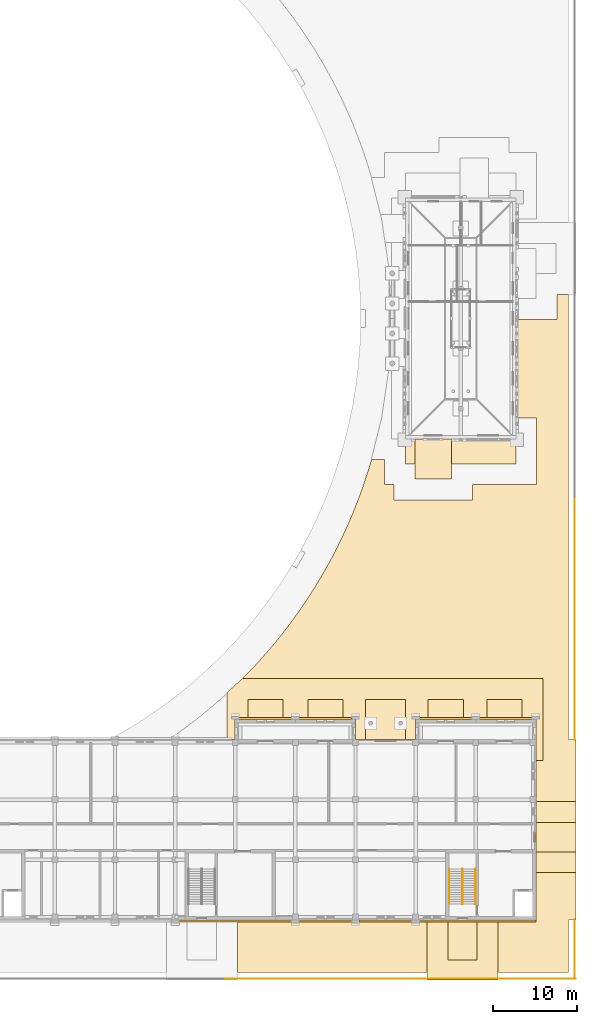
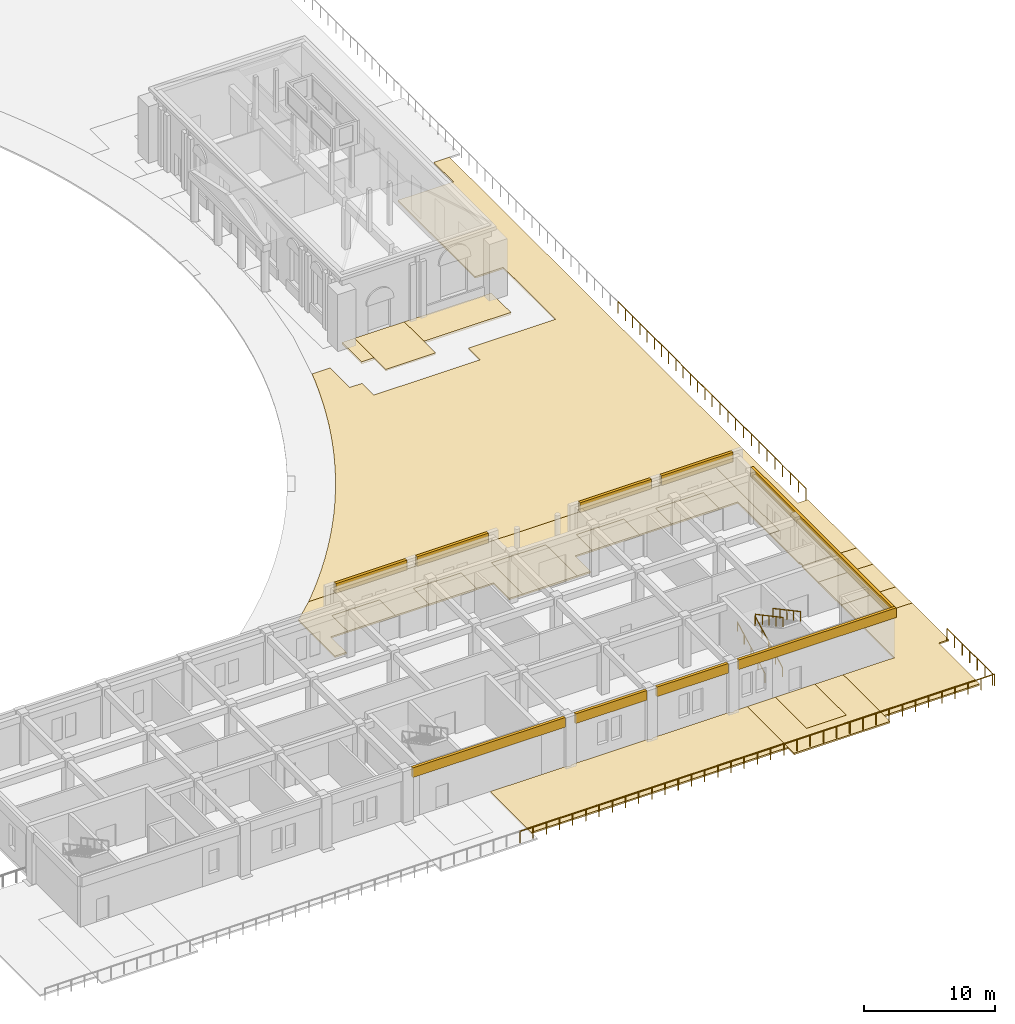
# One storey, part 123 of 131: 25 coverings, 10 railings.
"""IFC4 building model written with IfcOpenShell, lengths in metres."""

import ifcopenshell
import ifcopenshell.guid

model = None  # the IFC model being written
_history = None  # IfcOwnerHistory: only IFC2X3 demands one
_inside = {}  # id of a spatial element -> (the spatial element, [elements in it])
_under = {}  # id of a project, library or spatial element -> (it, [spatial elements below it])
_declared = {}  # id of a project -> (the project, [libraries it declares])
_typed = {}  # id of a type object -> (the type object, [elements of that type])
_made_of = {}  # id of a material, layer set ... -> (it, [elements and type objects made of it])


def new_model(schema):
    """Start an empty IFC model of exactly this schema.

    Asked for "IFC4X3", IfcOpenShell would pick the latest addendum, in which some entities
    have other attributes; the version numbers below select the first issue.
    IFC2X3 requires an IfcOwnerHistory on every rooted entity: one is made here for all.
    """
    global model, _history
    if schema == "IFC4X3":
        model = ifcopenshell.file(schema_version=(4, 3, 0, 0))
    else:
        model = ifcopenshell.file(schema=schema)
    _inside.clear()
    _under.clear()
    _declared.clear()
    _typed.clear()
    _made_of.clear()
    _history = None
    if model.schema == "IFC2X3":
        org = make("IfcOrganization", Name="unknown")
        user = make(
            "IfcPersonAndOrganization",
            ThePerson=make("IfcPerson", FamilyName="unknown"),
            TheOrganization=org,
        )
        app = make(
            "IfcApplication",
            ApplicationDeveloper=org,
            Version="unknown",
            ApplicationFullName="unknown",
            ApplicationIdentifier="unknown",
        )
        _history = make(
            "IfcOwnerHistory",
            OwningUser=user,
            OwningApplication=app,
            ChangeAction="ADDED",
            CreationDate=0,
        )
    return model


def make(cls, **values):
    """One entity of the class cls with the attributes given. An attribute that is None is left unset."""
    return model.create_entity(
        cls, **{name: value for name, value in values.items() if value is not None}
    )


def rooted(cls, **values):
    """An entity with a GlobalId (a new one), such as an element, a storey or a relation."""
    return make(cls, GlobalId=ifcopenshell.guid.new(), OwnerHistory=_history, **values)


def si_unit(unit_type, name, prefix=None):
    """IfcSIUnit, for example si_unit("LENGTHUNIT", "METRE", prefix="MILLI")."""
    return make("IfcSIUnit", UnitType=unit_type, Prefix=prefix, Name=name)


def assignment(units):
    """IfcUnitAssignment: the units of a project."""
    return None if units is None else make("IfcUnitAssignment", Units=units)


def point(xyz):
    """IfcCartesianPoint."""
    return None if xyz is None else make("IfcCartesianPoint", Coordinates=xyz)


def direction(xyz):
    """IfcDirection."""
    return None if xyz is None else make("IfcDirection", DirectionRatios=xyz)


def frame(location, z_axis=None, x_axis=None):
    """IfcAxis2Placement3D, a coordinate frame: its origin and axes. An axis left out is left unset."""
    return make(
        "IfcAxis2Placement3D",
        Location=point(location),
        Axis=direction(z_axis),
        RefDirection=direction(x_axis),
    )


def frame_2d(location, x_axis=None):
    """IfcAxis2Placement2D, a coordinate frame in the plane: its origin and x axis."""
    return make(
        "IfcAxis2Placement2D", Location=point(location), RefDirection=direction(x_axis)
    )


def origin():
    """The frame at (0, 0, 0) with its axes left unset."""
    return frame((0.0, 0.0, 0.0))


def origin_2d():
    """The frame at (0, 0) in the plane with its x axis left unset."""
    return frame_2d((0.0, 0.0))


def place(relative_to, where):
    """IfcLocalPlacement: puts the frame where relative to a parent placement (None: the world)."""
    return make(
        "IfcLocalPlacement", PlacementRelTo=relative_to, RelativePlacement=where
    )


def context(
    kind, dimensions, precision=None, world=None, true_north=None, identifier=None
):
    """IfcGeometricRepresentationContext, for example the 3D "Model" context."""
    return make(
        "IfcGeometricRepresentationContext",
        ContextIdentifier=identifier,
        ContextType=kind,
        CoordinateSpaceDimension=dimensions,
        Precision=precision,
        WorldCoordinateSystem=world,
        TrueNorth=true_north,
    )


def subcontext(parent, identifier, kind, view, scale=None):
    """IfcGeometricRepresentationSubContext, for example "Body" below "Model"."""
    return make(
        "IfcGeometricRepresentationSubContext",
        ContextIdentifier=identifier,
        ContextType=kind,
        ParentContext=parent,
        TargetScale=scale,
        TargetView=view,
    )


def project(units=None, contexts=None):
    """IfcProject with its units and contexts."""
    return rooted(
        "IfcProject",
        Name="project",
        RepresentationContexts=contexts,
        UnitsInContext=assignment(units),
    )


def spatial(cls, under=None, at=None, **own):
    """A site, building, storey or space (cls), placed at a placement, below another one or the project."""
    s = rooted(cls, ObjectPlacement=at, **own)
    if under is not None:
        _under.setdefault(under.id(), (under, []))[1].append(s)
    return s


def polyline(points):
    """IfcPolyline through the points."""
    return make("IfcPolyline", Points=[point(p) for p in points])


def profile(cls, at=None, kind="AREA", **sizes):
    """A parametric profile (cls). Its sizes go by their IFC names, for example OverallWidth=200.0."""
    return make(cls, ProfileType=kind, Position=at, **sizes)


def rectangle(**sizes):
    """IfcRectangleProfileDef."""
    return profile("IfcRectangleProfileDef", **sizes)


def circle(**sizes):
    """IfcCircleProfileDef."""
    return profile("IfcCircleProfileDef", **sizes)


def outline(outer, holes=None, kind="AREA"):
    """IfcArbitraryClosedProfileDef: a profile drawn as a closed curve; with holes, ...WithVoids."""
    if holes is None:
        return make("IfcArbitraryClosedProfileDef", ProfileType=kind, OuterCurve=outer)
    return make(
        "IfcArbitraryProfileDefWithVoids",
        ProfileType=kind,
        OuterCurve=outer,
        InnerCurves=holes,
    )


def extrude(swept, where, along, depth):
    """IfcExtrudedAreaSolid: the profile swept, set in the frame where, extruded along a direction by depth."""
    return make(
        "IfcExtrudedAreaSolid",
        SweptArea=swept,
        Position=where,
        ExtrudedDirection=direction(along),
        Depth=depth,
    )


def shape(context_of_items, identifier, shape_type, items):
    """IfcShapeRepresentation: the items that make up one representation, for example the "Body"."""
    return make(
        "IfcShapeRepresentation",
        ContextOfItems=context_of_items,
        RepresentationIdentifier=identifier,
        RepresentationType=shape_type,
        Items=items,
    )


def material(Name=None, Category=None):
    """IfcMaterial."""
    return make("IfcMaterial", Name=Name, Category=Category)


def layer(
    of_material, thickness, ventilated=None, Name=None, Category=None, Priority=None
):
    """IfcMaterialLayer: one layer of a wall or slab, of a material (None: an air gap)."""
    return make(
        "IfcMaterialLayer",
        Material=of_material,
        LayerThickness=thickness,
        IsVentilated=ventilated,
        Name=Name,
        Category=Category,
        Priority=Priority,
    )


def layer_set(layers, Name=None):
    """IfcMaterialLayerSet."""
    return make("IfcMaterialLayerSet", MaterialLayers=layers, LayerSetName=Name)


def made_of(thing, what):
    """Note that an element or type object is made of a material, layer set ...; save() writes the relation."""
    if what is not None:
        _made_of.setdefault(what.id(), (what, []))[1].append(thing)
    return thing


def type_object(cls, material=None, **own):
    """A type object (cls), such as IfcWallType, which elements share."""
    return made_of(rooted(cls, **own), material)


def element(
    cls,
    number,
    at=None,
    inside=None,
    cuts=None,
    type_object=None,
    material=None,
    context=None,
    identifier="Body",
    shape_type=None,
    held_by="IfcProductDefinitionShape",
    body=None,
    shapes=None,
    **own,
):
    """One element of the class cls, such as IfcWall. Its Tag is "e" and its number.

    at: its placement. inside: the storey or other place that contains it. cuts: it is an
    opening in that element (IfcRelVoidsElement). A single representation is given by context,
    identifier, shape_type and body (its items); several are given by shapes. held_by: the class
    of the entity that holds the representations. save() writes the other relations.
    """
    e = rooted(cls, Tag="e%d" % number, ObjectPlacement=at, **own)
    if body is not None:
        shapes = [shape(context, identifier, shape_type, body)]
    if shapes is not None:
        e.Representation = make(held_by, Representations=shapes)
    if inside is not None:
        _inside.setdefault(inside.id(), (inside, []))[1].append(e)
    if cuts is not None:
        rooted(
            "IfcRelVoidsElement", RelatingBuildingElement=cuts, RelatedOpeningElement=e
        )
    if type_object is not None:
        _typed.setdefault(type_object.id(), (type_object, []))[1].append(e)
    return made_of(e, material)


def aggregate(whole, parts):
    """IfcRelAggregates: a whole, such as a stair, and the parts it consists of."""
    return rooted("IfcRelAggregates", RelatingObject=whole, RelatedObjects=parts)


def save(model, path):
    """Write the relations noted so far, then the file.

    IfcRelAggregates (storeys below a building ...), IfcRelContainedInSpatialStructure (elements
    in a storey), IfcRelDefinesByType, IfcRelAssociatesMaterial and IfcRelDeclares: one each for
    every whole, place, type object, material and project.
    """
    for whole, parts in _under.values():
        aggregate(whole, parts)
    for where, things in _inside.values():
        rooted(
            "IfcRelContainedInSpatialStructure",
            RelatedElements=things,
            RelatingStructure=where,
        )
    for kind, things in _typed.values():
        rooted("IfcRelDefinesByType", RelatedObjects=things, RelatingType=kind)
    for what, things in _made_of.values():
        rooted("IfcRelAssociatesMaterial", RelatedObjects=things, RelatingMaterial=what)
    for by, libraries in _declared.values():
        rooted("IfcRelDeclares", RelatingContext=by, RelatedDefinitions=libraries)
    model.write(path)


model = new_model("IFC4")

# Units and contexts
model_context = context("Model", 3, precision=1e-05, world=origin(), true_north=direction((0.0, 1.0)))
body_context = subcontext(model_context, "Body", "Model", "MODEL_VIEW")
ifc_project = project(units=[si_unit("LENGTHUNIT", "METRE"), si_unit("AREAUNIT", "SQUARE_METRE"), si_unit("VOLUMEUNIT", "CUBIC_METRE"), si_unit("PLANEANGLEUNIT", "RADIAN"), si_unit("MASSUNIT", "GRAM", prefix="KILO")], contexts=[model_context])

# Site, building, storey
site_placement = place(None, origin())
site = spatial("IfcSite", under=ifc_project, at=site_placement, CompositionType="ELEMENT")
building_placement = place(site_placement, origin())
building = spatial("IfcBuilding", under=site, at=building_placement, Name="Alderwick Market Hall", CompositionType="ELEMENT")
storey_placement = place(building_placement, frame((0.0, 0.0, 4.800048828125)))
storey = spatial("IfcBuildingStorey", under=building, at=storey_placement, Name="L00", CompositionType="ELEMENT", Elevation=4.800048828125)

# Railings
ifc_material_1 = material(Name="Steel ASTM A500 Grade C", Category="steel")
railing_type_1 = type_object("IfcRailingType", Name="C Stair Handrail 900", PredefinedType="HANDRAIL", material=ifc_material_1)
for number, where, name in (
    (1, (220.02001953125, 9.10009765625, 0.14990234375), "C.rail.L00.C.1"),
    (2, (221.580078125, 9.10009765625, 0.14990234375), "C.rail.L00.C.2"),
):
    element("IfcRailing", number, at=place(storey_placement, frame(where)), inside=storey, type_object=railing_type_1, Name=name, PredefinedType="HANDRAIL", context=body_context, shape_type="SweptSolid", body=[
        extrude(circle(Radius=0.02392578125, at=origin_2d()), frame((0.0, 0.0, 0.8759765625), z_axis=(0.0, 0.881477684796, 0.472225678258), x_axis=(-1.0, 0.0, 0.0)), (0.0, 0.0, 1.0), 4.7646484375),
        extrude(circle(Radius=0.02099609375, at=origin_2d()), origin(), (0.0, 0.0, 1.0), 0.851806640625),
        extrude(circle(Radius=0.02099609375, at=origin_2d()), frame((0.0, 1.050048828125, 0.5625)), (0.0, 0.0, 1.0), 0.851806640625),
        extrude(circle(Radius=0.02099609375, at=origin_2d()), frame((0.0, 2.10009765625, 1.125)), (0.0, 0.0, 1.0), 0.851806640625),
        extrude(circle(Radius=0.02099609375, at=origin_2d()), frame((0.0, 3.14990234375, 1.6875)), (0.0, 0.0, 1.0), 0.851806640625),
        extrude(circle(Radius=0.02099609375, at=origin_2d()), frame((0.0, 4.199951171875, 2.25)), (0.0, 0.0, 1.0), 0.851806640625),
    ])
for number, where, name in (
    (3, (221.6201171875, 13.300048828125, 2.550048828125), "C.rail.L00.C.3"),
    (4, (223.179931640625, 13.300048828125, 2.550048828125), "C.rail.L00.C.4"),
):
    element("IfcRailing", number, at=place(storey_placement, frame(where)), inside=storey, type_object=railing_type_1, Name=name, PredefinedType="HANDRAIL", context=body_context, shape_type="SweptSolid", body=[
        extrude(circle(Radius=0.02392578125, at=origin_2d()), frame((0.0, 0.0, 0.8759765625), z_axis=(0.0, -0.881477684796, 0.472225678258), x_axis=(1.0, 0.0, 0.0)), (0.0, 0.0, 1.0), 4.7646484375),
        extrude(circle(Radius=0.02099609375, at=origin_2d()), origin(), (0.0, 0.0, 1.0), 0.851806640625),
        extrude(circle(Radius=0.02099609375, at=origin_2d()), frame((0.0, -1.050048828125, 0.5625)), (0.0, 0.0, 1.0), 0.851806640625),
        extrude(circle(Radius=0.02099609375, at=origin_2d()), frame((0.0, -2.10009765625, 1.125)), (0.0, 0.0, 1.0), 0.851806640625),
        extrude(circle(Radius=0.02099609375, at=origin_2d()), frame((0.0, -3.14990234375, 1.6875)), (0.0, 0.0, 1.0), 0.851806640625),
        extrude(circle(Radius=0.02099609375, at=origin_2d()), frame((0.0, -4.199951171875, 2.25)), (0.0, 0.0, 1.0), 0.851806640625),
    ])

# Coverings
ifc_material_2 = material(Name="Cast stone 5000 psi", Category="masonry")
ifc_layer_1 = layer(ifc_material_2, 0.25)
ifc_layer_set_1 = layer_set([ifc_layer_1], Name="Cast stone 5000 psi")
covering_type_1 = type_object("IfcCoveringType", Name="C String Course Cast Stone 250x900", PredefinedType="CLADDING", material=ifc_layer_set_1)
covering_1_placement = place(storey_placement, frame((201.14990234375, 7.074951171875, 3.89990234375), z_axis=(0.0, 0.0, 1.0), x_axis=(-1.0, 0.0, 0.0)))
element("IfcCovering", 5, at=covering_1_placement, inside=storey, type_object=covering_type_1, Name="C.wall.L00.band.back.04", PredefinedType="CLADDING", context=body_context, shape_type="SweptSolid", body=[
    extrude(rectangle(XDim=13.5, YDim=0.25, at=frame_2d((6.75, 0.0))), origin(), (0.0, 0.0, 1.0), 0.900146484375),
])
for number, where, z_axis, x_axis, name in (
    (6, (208.35009765625, 7.074951171875, 3.89990234375), (0.0, 0.0, 1.0), (-1.0, 0.0, 0.0), "C.wall.L00.band.back.05"),
    (7, (215.550048828125, 7.074951171875, 3.89990234375), (0.0, 0.0, 1.0), (-1.0, 0.0, 0.0), "C.wall.L00.band.back.06"),
):
    element("IfcCovering", number, at=place(storey_placement, frame(where, z_axis=z_axis, x_axis=x_axis)), inside=storey, type_object=covering_type_1, Name=name, PredefinedType="CLADDING", context=body_context, shape_type="SweptSolid", body=[
        extrude(rectangle(XDim=6.300048828125, YDim=0.25, at=frame_2d((3.14990234375, 0.0))), origin(), (0.0, 0.0, 1.0), 0.900146484375),
    ])
covering_2_placement = place(storey_placement, frame((230.39990234375, 7.074951171875, 3.89990234375), z_axis=(0.0, 0.0, 1.0), x_axis=(-1.0, 0.0, 0.0)))
element("IfcCovering", 8, at=covering_2_placement, inside=storey, type_object=covering_type_1, Name="C.wall.L00.band.back.07", PredefinedType="CLADDING", context=body_context, shape_type="SweptSolid", body=[
    extrude(rectangle(XDim=13.949951171875, YDim=0.25, at=frame_2d((6.97509765625, 0.0))), origin(), (0.0, 0.0, 1.0), 0.900146484375),
])
covering_3_placement = place(storey_placement, frame((230.27490234375, 28.800048828125, 3.89990234375), z_axis=(0.0, 0.0, 1.0), x_axis=(0.0, -1.0, 0.0)))
element("IfcCovering", 9, at=covering_3_placement, inside=storey, type_object=covering_type_1, Name="C.wall.L00.band.east.01", PredefinedType="CLADDING", context=body_context, shape_type="SweptSolid", body=[
    extrude(rectangle(XDim=21.60009765625, YDim=0.25, at=frame_2d((10.800048828125, 0.0))), origin(), (0.0, 0.0, 1.0), 0.900146484375),
])
covering_4_placement = place(storey_placement, frame((194.85009765625, 31.324951171875, 3.89990234375), z_axis=(0.0, 0.0, 1.0), x_axis=(1.0, 0.0, 0.0)))
element("IfcCovering", 10, at=covering_4_placement, inside=storey, type_object=covering_type_1, Name="C.wall.L00.band.pav1.01", PredefinedType="CLADDING", context=body_context, shape_type="SweptSolid", body=[
    extrude(rectangle(XDim=6.2998046875, YDim=0.25, at=frame_2d((3.14990234375, 0.0))), origin(), (0.0, 0.0, 1.0), 0.900146484375),
])
for number, where, z_axis, x_axis, name in (
    (11, (202.050048828125, 31.324951171875, 3.89990234375), (0.0, 0.0, 1.0), (1.0, 0.0, 0.0), "C.wall.L00.band.pav1.02"),
    (12, (216.449951171875, 31.324951171875, 3.89990234375), (0.0, 0.0, 1.0), (1.0, 0.0, 0.0), "C.wall.L00.band.pav2.01"),
    (13, (223.64990234375, 31.324951171875, 3.89990234375), (0.0, 0.0, 1.0), (1.0, 0.0, 0.0), "C.wall.L00.band.pav2.02"),
):
    element("IfcCovering", number, at=place(storey_placement, frame(where, z_axis=z_axis, x_axis=x_axis)), inside=storey, type_object=covering_type_1, Name=name, PredefinedType="CLADDING", context=body_context, shape_type="SweptSolid", body=[
        extrude(rectangle(XDim=6.300048828125, YDim=0.25, at=frame_2d((3.14990234375, 0.0))), origin(), (0.0, 0.0, 1.0), 0.900146484375),
    ])
ifc_material_3 = material(Name="Granite setts on concrete bed", Category="masonry")
ifc_layer_2 = layer(ifc_material_3, 0.199951171875)
ifc_layer_set_2 = layer_set([ifc_layer_2], Name="Granite setts on concrete bed")
covering_type_2 = type_object("IfcCoveringType", Name="G Paving 200", PredefinedType="USERDEFINED", material=ifc_layer_set_2)
covering_5_placement = place(storey_placement, frame((0.0, 0.0, -0.199951171875)))
element("IfcCovering", 14, at=covering_5_placement, inside=storey, type_object=covering_type_2, Name="Pavilion south apron paving", ObjectType="PAVING", PredefinedType="USERDEFINED", context=body_context, shape_type="SweptSolid", body=[
    extrude(outline(polyline([(214.800048828125, 61.800048828125), (228.0, 61.800048828125), (228.0, 64.800048828125), (214.800048828125, 64.800048828125), (214.800048828125, 61.800048828125)])), origin(), (0.0, 0.0, 1.0), 0.199951171875),
])
ifc_layer_3 = layer(ifc_material_3, 0.14990234375)
ifc_layer_set_3 = layer_set([ifc_layer_3], Name="Granite setts on concrete bed")
covering_type_3 = type_object("IfcCoveringType", Name="S Forecourt Paving 150", PredefinedType="USERDEFINED", material=ifc_layer_set_3)
covering_6_placement = place(storey_placement, frame((0.0, 0.0, -0.150146484375)))
element("IfcCovering", 15, at=covering_6_placement, inside=storey, type_object=covering_type_3, Name="Forecourt 02", ObjectType="PAVING", PredefinedType="USERDEFINED", context=body_context, shape_type="SweptSolid", body=[
    extrude(outline(polyline([(230.39990234375, 15.35009765625), (235.199951171875, 15.35009765625), (235.199951171875, 18.85009765625), (230.39990234375, 18.85009765625), (230.39990234375, 15.35009765625)])), origin(), (0.0, 0.0, 1.0), 0.150146484375),
])
covering_7_placement = place(storey_placement, frame((0.0, 0.0, -0.150146484375)))
element("IfcCovering", 16, at=covering_7_placement, inside=storey, type_object=covering_type_3, Name="Forecourt 04", ObjectType="PAVING", PredefinedType="USERDEFINED", context=body_context, shape_type="SweptSolid", body=[
    extrude(outline(polyline([(228.72509765625, 31.199951171875), (228.72509765625, 33.60009765625), (224.52490234375, 33.60009765625), (224.52490234375, 31.199951171875), (228.72509765625, 31.199951171875)])), origin(), (0.0, 0.0, 1.0), 0.150146484375),
])
covering_8_placement = place(storey_placement, frame((0.0, 0.0, -0.150146484375)))
element("IfcCovering", 17, at=covering_8_placement, inside=storey, type_object=covering_type_3, Name="Forecourt 06", ObjectType="PAVING", PredefinedType="USERDEFINED", context=body_context, shape_type="SweptSolid", body=[
    extrude(outline(polyline([(219.85009765625, 7.199951171875), (219.85009765625, 2.39990234375), (223.35009765625, 2.39990234375), (223.35009765625, 7.199951171875), (219.85009765625, 7.199951171875)])), origin(), (0.0, 0.0, 1.0), 0.150146484375),
])
covering_9_placement = place(storey_placement, frame((0.0, 0.0, -0.150146484375)))
element("IfcCovering", 18, at=covering_9_placement, inside=storey, type_object=covering_type_3, Name="Forecourt 08", ObjectType="PAVING", PredefinedType="USERDEFINED", context=body_context, shape_type="SweptSolid", body=[
    extrude(outline(polyline([(221.699951171875, 31.199951171875), (221.699951171875, 33.60009765625), (217.5, 33.60009765625), (217.5, 31.199951171875), (221.699951171875, 31.199951171875)])), origin(), (0.0, 0.0, 1.0), 0.150146484375),
])
covering_10_placement = place(storey_placement, frame((0.0, 0.0, -0.150146484375)))
element("IfcCovering", 19, at=covering_10_placement, inside=storey, type_object=covering_type_3, Name="Forecourt 09", ObjectType="PAVING", PredefinedType="USERDEFINED", context=body_context, shape_type="SweptSolid", body=[
    extrude(outline(polyline([(215.89990234375, 60.0), (220.300048828125, 60.0), (220.300048828125, 64.800048828125), (215.89990234375, 64.800048828125), (215.89990234375, 60.0)])), origin(), (0.0, 0.0, 1.0), 0.150146484375),
])
covering_11_placement = place(storey_placement, frame((0.0, 0.0, -0.150146484375)))
element("IfcCovering", 20, at=covering_11_placement, inside=storey, type_object=covering_type_3, Name="Forecourt 12", ObjectType="PAVING", PredefinedType="USERDEFINED", context=body_context, shape_type="SweptSolid", body=[
    extrude(outline(polyline([(214.800048828125, 28.800048828125), (214.800048828125, 33.60009765625), (210.0, 33.60009765625), (210.0, 28.800048828125), (214.800048828125, 28.800048828125)])), origin(), (0.0, 0.0, 1.0), 0.150146484375),
])
covering_12_placement = place(storey_placement, frame((0.0, 0.0, -0.150146484375)))
element("IfcCovering", 21, at=covering_12_placement, inside=storey, type_object=covering_type_3, Name="Forecourt 14", ObjectType="PAVING", PredefinedType="USERDEFINED", context=body_context, shape_type="SweptSolid", body=[
    extrude(outline(polyline([(207.300048828125, 31.199951171875), (207.300048828125, 33.60009765625), (203.10009765625, 33.60009765625), (203.10009765625, 31.199951171875), (207.300048828125, 31.199951171875)])), origin(), (0.0, 0.0, 1.0), 0.150146484375),
])
covering_13_placement = place(storey_placement, frame((0.0, 0.0, -0.150146484375)))
element("IfcCovering", 22, at=covering_13_placement, inside=storey, type_object=covering_type_3, Name="Forecourt 16", ObjectType="PAVING", PredefinedType="USERDEFINED", context=body_context, shape_type="SweptSolid", body=[
    extrude(outline(polyline([(200.10009765625, 31.199951171875), (200.10009765625, 33.60009765625), (195.89990234375, 33.60009765625), (195.89990234375, 31.199951171875), (200.10009765625, 31.199951171875)])), origin(), (0.0, 0.0, 1.0), 0.150146484375),
])
ifc_material_4 = material(Name="Compacted gravel and turf on till")
ifc_layer_4 = layer(ifc_material_4, 0.14990234375)
ifc_layer_set_4 = layer_set([ifc_layer_4], Name="Compacted gravel and turf on till")
covering_type_4 = type_object("IfcCoveringType", Name="S Ground Paving 150", PredefinedType="USERDEFINED", material=ifc_layer_set_4)
covering_14_placement = place(storey_placement, frame((0.0, 0.0, -0.150146484375)))
element("IfcCovering", 23, at=covering_14_placement, inside=storey, type_object=covering_type_4, Name="Ground 01", ObjectType="GROUND", PredefinedType="USERDEFINED", context=body_context, shape_type="SweptSolid", body=[
    extrude(outline(polyline([(235.199951171875, 12.85009765625), (230.39990234375, 12.85009765625), (230.39990234375, 7.199951171875), (225.85009765625, 7.199951171875), (225.85009765625, 0.909912109375), (234.2900390625, 0.909912109375), (234.2900390625, 7.199951171875), (234.2900390625, 7.200927734375), (234.290283203125, 7.201904296875), (234.290283203125, 7.202880859375), (234.290771484375, 7.203857421875), (234.291259765625, 7.20458984375), (234.291748046875, 7.20556640625), (234.292236328125, 7.206298828125), (234.29296875, 7.20703125), (234.293701171875, 7.207763671875), (234.29443359375, 7.208251953125), (234.29541015625, 7.208740234375), (234.296142578125, 7.209228515625), (234.297119140625, 7.209716796875), (234.298095703125, 7.209716796875), (234.299072265625, 7.2099609375), (234.300048828125, 7.2099609375), (235.199951171875, 7.2099609375), (235.199951171875, 12.85009765625)])), origin(), (0.0, 0.0, 1.0), 0.150146484375),
])
covering_15_placement = place(storey_placement, frame((0.0, 0.0, -0.150146484375)))
element("IfcCovering", 24, at=covering_15_placement, inside=storey, type_object=covering_type_4, Name="Ground 02", ObjectType="GROUND", PredefinedType="USERDEFINED", context=body_context, shape_type="SweptSolid", body=[
    extrude(outline(polyline([(235.199951171875, 28.7900390625), (234.300048828125, 28.7900390625), (234.299072265625, 28.7900390625), (234.298095703125, 28.790283203125), (234.297119140625, 28.790283203125), (234.296142578125, 28.790771484375), (234.29541015625, 28.791259765625), (234.29443359375, 28.791748046875), (234.293701171875, 28.792236328125), (234.29296875, 28.79296875), (234.292236328125, 28.793701171875), (234.291748046875, 28.79443359375), (234.291259765625, 28.79541015625), (234.290771484375, 28.796142578125), (234.290283203125, 28.797119140625), (234.290283203125, 28.798095703125), (234.2900390625, 28.799072265625), (234.2900390625, 28.800048828125), (234.2900390625, 82.10009765625), (232.89990234375, 82.10009765625), (232.89990234375, 79.10009765625), (228.0, 79.10009765625), (228.0, 67.300048828125), (230.5, 67.300048828125), (230.5, 59.300048828125), (222.800048828125, 59.300048828125), (222.800048828125, 57.5), (213.39990234375, 57.5), (213.39990234375, 59.300048828125), (212.300048828125, 59.300048828125), (212.300048828125, 62.300048828125), (210.71142578125, 62.300048828125), (210.545654296875, 61.740478515625), (210.48291015625, 61.48974609375), (210.40625, 61.275634765625), (210.114501953125, 60.35009765625), (209.776611328125, 59.34033203125), (209.421142578125, 58.3369140625), (209.04833984375, 57.339599609375), (208.658203125, 56.34912109375), (208.550537109375, 56.089111328125), (208.4658203125, 55.8525390625), (208.3583984375, 55.62548828125), (208.250732421875, 55.365478515625), (207.826416015625, 54.38916015625), (207.384765625, 53.42041015625), (206.926513671875, 52.45947265625), (206.451416015625, 51.506591796875), (206.00341796875, 50.645751953125), (205.906005859375, 50.440185546875), (205.77294921875, 50.218017578125), (205.451904296875, 49.626708984375), (204.927490234375, 48.699951171875), (204.38720703125, 47.78271484375), (203.830810546875, 46.875), (203.2587890625, 45.97705078125), (202.962890625, 45.529541015625), (202.827880859375, 45.3046875), (202.697265625, 45.12841796875), (202.67138671875, 45.089111328125), (202.068359375, 44.2119140625), (201.449951171875, 43.34521484375), (200.81689453125, 42.4892578125), (200.168701171875, 41.644775390625), (199.505859375, 40.8115234375), (199.4033203125, 40.68701171875), (199.261474609375, 40.49560546875), (199.08642578125, 40.302734375), (198.82861328125, 39.989990234375), (198.13720703125, 39.180419921875), (197.431884765625, 38.383056640625), (196.712646484375, 37.59814453125), (195.979736328125, 36.82568359375), (195.4072265625, 36.243408203125), (195.27734375, 36.10009765625), (200.60009765625, 36.10009765625), (202.60009765625, 36.10009765625), (207.5, 36.10009765625), (209.800048828125, 36.10009765625), (215.0, 36.10009765625), (217.300048828125, 36.10009765625), (222.02490234375, 36.10009765625), (224.199951171875, 36.10009765625), (231.22509765625, 36.10009765625), (231.22509765625, 26.300048828125), (230.39990234375, 26.300048828125), (230.39990234375, 21.87060546875), (230.4658203125, 21.772216796875), (230.5, 21.60009765625), (230.4658203125, 21.427734375), (230.413818359375, 21.35009765625), (235.199951171875, 21.35009765625), (235.199951171875, 28.7900390625)])), origin(), (0.0, 0.0, 1.0), 0.150146484375),
])
covering_16_placement = place(storey_placement, frame((0.0, 0.0, -0.150146484375)))
element("IfcCovering", 25, at=covering_16_placement, inside=storey, type_object=covering_type_4, Name="Ground 05", ObjectType="GROUND", PredefinedType="USERDEFINED", context=body_context, shape_type="SweptSolid", body=[
    extrude(outline(polyline([(208.627685546875, 7.13427734375), (208.529296875, 7.199951171875), (201.87060546875, 7.199951171875), (201.772216796875, 7.13427734375), (201.60009765625, 7.10009765625), (201.427734375, 7.13427734375), (201.329345703125, 7.199951171875), (194.64990234375, 7.199951171875), (194.64990234375, 0.909912109375), (217.35009765625, 0.909912109375), (217.35009765625, 7.199951171875), (216.2705078125, 7.199951171875), (216.172119140625, 7.13427734375), (216.0, 7.10009765625), (215.827880859375, 7.13427734375), (215.7294921875, 7.199951171875), (209.070556640625, 7.199951171875), (208.97216796875, 7.13427734375), (208.800048828125, 7.10009765625), (208.627685546875, 7.13427734375)])), origin(), (0.0, 0.0, 1.0), 0.150146484375),
])

# Railings
railing_type_2 = type_object("IfcRailingType", Name="S Guard 1100", PredefinedType="GUARDRAIL", material=ifc_material_1)
for number, where, name in (
    (26, (193.199951171875, 0.14990234375, 0.0), "Guard S01d"),
    (27, (207.199951171875, 0.14990234375, 0.0), "Guard S01e"),
):
    element("IfcRailing", number, at=place(storey_placement, frame(where)), inside=storey, type_object=railing_type_2, Name=name, PredefinedType="GUARDRAIL", context=body_context, shape_type="SweptSolid", body=[
        extrude(circle(Radius=0.02490234375, at=origin_2d()), frame((0.0, 0.0, 1.0751953125), z_axis=(1.0, 0.0, 0.0), x_axis=(0.0, 1.0, 0.0)), (0.0, 0.0, 1.0), 14.0),
        extrude(circle(Radius=0.02001953125, at=origin_2d()), origin(), (0.0, 0.0, 1.0), 1.050048828125),
        extrude(circle(Radius=0.02001953125, at=origin_2d()), frame((1.166748046875, 0.0, 0.0)), (0.0, 0.0, 1.0), 1.050048828125),
        extrude(circle(Radius=0.02001953125, at=origin_2d()), frame((2.333251953125, 0.0, 0.0)), (0.0, 0.0, 1.0), 1.050048828125),
        extrude(circle(Radius=0.02001953125, at=origin_2d()), frame((3.5, 0.0, 0.0)), (0.0, 0.0, 1.0), 1.050048828125),
        extrude(circle(Radius=0.02001953125, at=origin_2d()), frame((4.666748046875, 0.0, 0.0)), (0.0, 0.0, 1.0), 1.050048828125),
        extrude(circle(Radius=0.02001953125, at=origin_2d()), frame((5.833251953125, 0.0, 0.0)), (0.0, 0.0, 1.0), 1.050048828125),
        extrude(circle(Radius=0.02001953125, at=origin_2d()), frame((7.0, 0.0, 0.0)), (0.0, 0.0, 1.0), 1.050048828125),
        extrude(circle(Radius=0.02001953125, at=origin_2d()), frame((8.166748046875, 0.0, 0.0)), (0.0, 0.0, 1.0), 1.050048828125),
        extrude(circle(Radius=0.02001953125, at=origin_2d()), frame((9.333251953125, 0.0, 0.0)), (0.0, 0.0, 1.0), 1.050048828125),
        extrude(circle(Radius=0.02001953125, at=origin_2d()), frame((10.5, 0.0, 0.0)), (0.0, 0.0, 1.0), 1.050048828125),
        extrude(circle(Radius=0.02001953125, at=origin_2d()), frame((11.666748046875, 0.0, 0.0)), (0.0, 0.0, 1.0), 1.050048828125),
        extrude(circle(Radius=0.02001953125, at=origin_2d()), frame((12.833251953125, 0.0, 0.0)), (0.0, 0.0, 1.0), 1.050048828125),
        extrude(circle(Radius=0.02001953125, at=origin_2d()), frame((14.0, 0.0, 0.0)), (0.0, 0.0, 1.0), 1.050048828125),
    ])
railing_1_placement = place(storey_placement, frame((221.199951171875, 0.14990234375, 0.0)))
element("IfcRailing", 28, at=railing_1_placement, inside=storey, type_object=railing_type_2, Name="Guard S01f", PredefinedType="GUARDRAIL", context=body_context, shape_type="SweptSolid", body=[
    extrude(circle(Radius=0.02490234375, at=origin_2d()), frame((0.0, 0.0, 1.0751953125), z_axis=(1.0, 0.0, 0.0), x_axis=(0.0, 1.0, 0.0)), (0.0, 0.0, 1.0), 13.949951171875),
    extrude(circle(Radius=0.02001953125, at=origin_2d()), origin(), (0.0, 0.0, 1.0), 1.050048828125),
    extrude(circle(Radius=0.02001953125, at=origin_2d()), frame((1.16259765625, 0.0, 0.0)), (0.0, 0.0, 1.0), 1.050048828125),
    extrude(circle(Radius=0.02001953125, at=origin_2d()), frame((2.324951171875, 0.0, 0.0)), (0.0, 0.0, 1.0), 1.050048828125),
    extrude(circle(Radius=0.02001953125, at=origin_2d()), frame((3.487548828125, 0.0, 0.0)), (0.0, 0.0, 1.0), 1.050048828125),
    extrude(circle(Radius=0.02001953125, at=origin_2d()), frame((4.64990234375, 0.0, 0.0)), (0.0, 0.0, 1.0), 1.050048828125),
    extrude(circle(Radius=0.02001953125, at=origin_2d()), frame((5.8125, 0.0, 0.0)), (0.0, 0.0, 1.0), 1.050048828125),
    extrude(circle(Radius=0.02001953125, at=origin_2d()), frame((6.97509765625, 0.0, 0.0)), (0.0, 0.0, 1.0), 1.050048828125),
    extrude(circle(Radius=0.02001953125, at=origin_2d()), frame((8.137451171875, 0.0, 0.0)), (0.0, 0.0, 1.0), 1.050048828125),
    extrude(circle(Radius=0.02001953125, at=origin_2d()), frame((9.300048828125, 0.0, 0.0)), (0.0, 0.0, 1.0), 1.050048828125),
    extrude(circle(Radius=0.02001953125, at=origin_2d()), frame((10.46240234375, 0.0, 0.0)), (0.0, 0.0, 1.0), 1.050048828125),
    extrude(circle(Radius=0.02001953125, at=origin_2d()), frame((11.625, 0.0, 0.0)), (0.0, 0.0, 1.0), 1.050048828125),
    extrude(circle(Radius=0.02001953125, at=origin_2d()), frame((12.787353515625, 0.0, 0.0)), (0.0, 0.0, 1.0), 1.050048828125),
    extrude(circle(Radius=0.02001953125, at=origin_2d()), frame((13.949951171875, 0.0, 0.0)), (0.0, 0.0, 1.0), 1.050048828125),
])
railing_2_placement = place(storey_placement, frame((235.050048828125, 0.300048828125, 0.0)))
element("IfcRailing", 29, at=railing_2_placement, inside=storey, type_object=railing_type_2, Name="Guard E03a", PredefinedType="GUARDRAIL", context=body_context, shape_type="SweptSolid", body=[
    extrude(circle(Radius=0.02490234375, at=origin_2d()), frame((0.0, 0.0, 1.0751953125), z_axis=(0.0, 1.0, 0.0), x_axis=(-1.0, 0.0, 0.0)), (0.0, 0.0, 1.0), 6.89990234375),
    extrude(circle(Radius=0.02001953125, at=origin_2d()), origin(), (0.0, 0.0, 1.0), 1.050048828125),
    extrude(circle(Radius=0.02001953125, at=origin_2d()), frame((0.0, 1.14990234375, 0.0)), (0.0, 0.0, 1.0), 1.050048828125),
    extrude(circle(Radius=0.02001953125, at=origin_2d()), frame((0.0, 2.300048828125, 0.0)), (0.0, 0.0, 1.0), 1.050048828125),
    extrude(circle(Radius=0.02001953125, at=origin_2d()), frame((0.0, 3.449951171875, 0.0)), (0.0, 0.0, 1.0), 1.050048828125),
    extrude(circle(Radius=0.02001953125, at=origin_2d()), frame((0.0, 4.599853515625, 0.0)), (0.0, 0.0, 1.0), 1.050048828125),
    extrude(circle(Radius=0.02001953125, at=origin_2d()), frame((0.0, 5.75, 0.0)), (0.0, 0.0, 1.0), 1.050048828125),
    extrude(circle(Radius=0.02001953125, at=origin_2d()), frame((0.0, 6.89990234375, 0.0)), (0.0, 0.0, 1.0), 1.050048828125),
])
railing_3_placement = place(storey_placement, frame((235.050048828125, 28.800048828125, 0.0)))
element("IfcRailing", 30, at=railing_3_placement, inside=storey, type_object=railing_type_2, Name="Guard E04a", PredefinedType="GUARDRAIL", context=body_context, shape_type="SweptSolid", body=[
    extrude(circle(Radius=0.02490234375, at=origin_2d()), frame((0.0, 0.0, 1.0751953125), z_axis=(0.0, 1.0, 0.0), x_axis=(-1.0, 0.0, 0.0)), (0.0, 0.0, 1.0), 14.39990234375),
    extrude(circle(Radius=0.02001953125, at=origin_2d()), origin(), (0.0, 0.0, 1.0), 1.050048828125),
    extrude(circle(Radius=0.02001953125, at=origin_2d()), frame((0.0, 1.199951171875, 0.0)), (0.0, 0.0, 1.0), 1.050048828125),
    extrude(circle(Radius=0.02001953125, at=origin_2d()), frame((0.0, 2.39990234375, 0.0)), (0.0, 0.0, 1.0), 1.050048828125),
    extrude(circle(Radius=0.02001953125, at=origin_2d()), frame((0.0, 3.60009765625, 0.0)), (0.0, 0.0, 1.0), 1.050048828125),
    extrude(circle(Radius=0.02001953125, at=origin_2d()), frame((0.0, 4.800048828125, 0.0)), (0.0, 0.0, 1.0), 1.050048828125),
    extrude(circle(Radius=0.02001953125, at=origin_2d()), frame((0.0, 6.0, 0.0)), (0.0, 0.0, 1.0), 1.050048828125),
    extrude(circle(Radius=0.02001953125, at=origin_2d()), frame((0.0, 7.199951171875, 0.0)), (0.0, 0.0, 1.0), 1.050048828125),
    extrude(circle(Radius=0.02001953125, at=origin_2d()), frame((0.0, 8.39990234375, 0.0)), (0.0, 0.0, 1.0), 1.050048828125),
    extrude(circle(Radius=0.02001953125, at=origin_2d()), frame((0.0, 9.599853515625, 0.0)), (0.0, 0.0, 1.0), 1.050048828125),
    extrude(circle(Radius=0.02001953125, at=origin_2d()), frame((0.0, 10.7998046875, 0.0)), (0.0, 0.0, 1.0), 1.050048828125),
    extrude(circle(Radius=0.02001953125, at=origin_2d()), frame((0.0, 12.0, 0.0)), (0.0, 0.0, 1.0), 1.050048828125),
    extrude(circle(Radius=0.02001953125, at=origin_2d()), frame((0.0, 13.199951171875, 0.0)), (0.0, 0.0, 1.0), 1.050048828125),
    extrude(circle(Radius=0.02001953125, at=origin_2d()), frame((0.0, 14.39990234375, 0.0)), (0.0, 0.0, 1.0), 1.050048828125),
])
railing_4_placement = place(storey_placement, frame((235.050048828125, 43.199951171875, 0.0)))
element("IfcRailing", 31, at=railing_4_placement, inside=storey, type_object=railing_type_2, Name="Guard E04b", PredefinedType="GUARDRAIL", context=body_context, shape_type="SweptSolid", body=[
    extrude(circle(Radius=0.02490234375, at=origin_2d()), frame((0.0, 0.0, 1.0751953125), z_axis=(0.0, 1.0, 0.0), x_axis=(-1.0, 0.0, 0.0)), (0.0, 0.0, 1.0), 14.400146484375),
    extrude(circle(Radius=0.02001953125, at=origin_2d()), origin(), (0.0, 0.0, 1.0), 1.050048828125),
    extrude(circle(Radius=0.02001953125, at=origin_2d()), frame((0.0, 1.107666015625, 0.0)), (0.0, 0.0, 1.0), 1.050048828125),
    extrude(circle(Radius=0.02001953125, at=origin_2d()), frame((0.0, 2.21533203125, 0.0)), (0.0, 0.0, 1.0), 1.050048828125),
    extrude(circle(Radius=0.02001953125, at=origin_2d()), frame((0.0, 3.322998046875, 0.0)), (0.0, 0.0, 1.0), 1.050048828125),
    extrude(circle(Radius=0.02001953125, at=origin_2d()), frame((0.0, 4.430908203125, 0.0)), (0.0, 0.0, 1.0), 1.050048828125),
    extrude(circle(Radius=0.02001953125, at=origin_2d()), frame((0.0, 5.53857421875, 0.0)), (0.0, 0.0, 1.0), 1.050048828125),
    extrude(circle(Radius=0.02001953125, at=origin_2d()), frame((0.0, 6.646240234375, 0.0)), (0.0, 0.0, 1.0), 1.050048828125),
    extrude(circle(Radius=0.02001953125, at=origin_2d()), frame((0.0, 7.75390625, 0.0)), (0.0, 0.0, 1.0), 1.050048828125),
    extrude(circle(Radius=0.02001953125, at=origin_2d()), frame((0.0, 8.861572265625, 0.0)), (0.0, 0.0, 1.0), 1.050048828125),
    extrude(circle(Radius=0.02001953125, at=origin_2d()), frame((0.0, 9.96923828125, 0.0)), (0.0, 0.0, 1.0), 1.050048828125),
    extrude(circle(Radius=0.02001953125, at=origin_2d()), frame((0.0, 11.0771484375, 0.0)), (0.0, 0.0, 1.0), 1.050048828125),
    extrude(circle(Radius=0.02001953125, at=origin_2d()), frame((0.0, 12.184814453125, 0.0)), (0.0, 0.0, 1.0), 1.050048828125),
    extrude(circle(Radius=0.02001953125, at=origin_2d()), frame((0.0, 13.29248046875, 0.0)), (0.0, 0.0, 1.0), 1.050048828125),
    extrude(circle(Radius=0.02001953125, at=origin_2d()), frame((0.0, 14.400146484375, 0.0)), (0.0, 0.0, 1.0), 1.050048828125),
])

# Coverings
ifc_material_5 = material(Name="Turf on topsoil")
ifc_layer_5 = layer(ifc_material_5, 0.14990234375)
ifc_layer_set_5 = layer_set([ifc_layer_5], Name="Turf on topsoil")
covering_type_5 = type_object("IfcCoveringType", Name="S Lawn Turf 150", PredefinedType="USERDEFINED", material=ifc_layer_set_5)
covering_17_placement = place(storey_placement, frame((0.0, 0.0, -0.150146484375)))
element("IfcCovering", 32, at=covering_17_placement, inside=storey, type_object=covering_type_5, Name="Lawn 03", ObjectType="LAWN", PredefinedType="USERDEFINED", context=body_context, shape_type="SweptSolid", body=[
    extrude(outline(polyline([(230.39990234375, 21.35009765625), (230.39990234375, 18.85009765625), (235.199951171875, 18.85009765625), (235.199951171875, 21.35009765625), (230.39990234375, 21.35009765625)])), origin(), (0.0, 0.0, 1.0), 0.150146484375),
])
covering_18_placement = place(storey_placement, frame((0.0, 0.0, -0.150146484375)))
element("IfcCovering", 33, at=covering_18_placement, inside=storey, type_object=covering_type_5, Name="Lawn 04", ObjectType="LAWN", PredefinedType="USERDEFINED", context=body_context, shape_type="SweptSolid", body=[
    extrude(outline(polyline([(230.39990234375, 15.35009765625), (230.39990234375, 12.85009765625), (235.199951171875, 12.85009765625), (235.199951171875, 15.35009765625), (230.39990234375, 15.35009765625)])), origin(), (0.0, 0.0, 1.0), 0.150146484375),
])
covering_19_placement = place(storey_placement, frame((0.0, 0.0, -0.150146484375)))
element("IfcCovering", 34, at=covering_19_placement, inside=storey, type_object=covering_type_5, Name="Lawn 06", ObjectType="LAWN", PredefinedType="USERDEFINED", context=body_context, shape_type="SweptSolid", body=[
    extrude(outline(polyline([(224.52490234375, 33.60009765625), (228.72509765625, 33.60009765625), (228.72509765625, 31.199951171875), (230.39990234375, 31.199951171875), (230.39990234375, 28.800048828125), (230.39990234375, 26.300048828125), (231.22509765625, 26.300048828125), (231.22509765625, 36.10009765625), (224.199951171875, 36.10009765625), (222.02490234375, 36.10009765625), (217.300048828125, 36.10009765625), (215.0, 36.10009765625), (209.800048828125, 36.10009765625), (207.5, 36.10009765625), (202.60009765625, 36.10009765625), (200.60009765625, 36.10009765625), (195.263916015625, 36.10009765625), (195.2333984375, 36.06640625), (193.39990234375, 34.40478515625), (193.39990234375, 28.800048828125), (194.39990234375, 28.800048828125), (194.39990234375, 31.199951171875), (195.89990234375, 31.199951171875), (195.89990234375, 33.60009765625), (200.10009765625, 33.60009765625), (200.10009765625, 31.199951171875), (203.10009765625, 31.199951171875), (203.10009765625, 33.60009765625), (207.300048828125, 33.60009765625), (207.300048828125, 31.199951171875), (208.800048828125, 31.199951171875), (208.800048828125, 28.800048828125), (210.0, 28.800048828125), (210.0, 33.60009765625), (214.800048828125, 33.60009765625), (214.800048828125, 28.800048828125), (216.0, 28.800048828125), (216.0, 31.199951171875), (217.5, 31.199951171875), (217.5, 33.60009765625), (221.699951171875, 33.60009765625), (221.699951171875, 31.199951171875), (224.52490234375, 31.199951171875), (224.52490234375, 33.60009765625)])), origin(), (0.0, 0.0, 1.0), 0.150146484375),
])
covering_20_placement = place(storey_placement, frame((0.0, 0.0, -0.150146484375)))
element("IfcCovering", 35, at=covering_20_placement, inside=storey, type_object=covering_type_5, Name="Lawn 09", ObjectType="LAWN", PredefinedType="USERDEFINED", context=body_context, shape_type="SweptSolid", body=[
    extrude(outline(polyline([(219.85009765625, 7.199951171875), (217.35009765625, 7.199951171875), (217.35009765625, 0.0), (225.85009765625, 0.0), (225.85009765625, 7.199951171875), (223.35009765625, 7.199951171875), (223.35009765625, 2.39990234375), (219.85009765625, 2.39990234375), (219.85009765625, 7.199951171875)])), origin(), (0.0, 0.0, 1.0), 0.150146484375),
])

save(model, "model.ifc")
